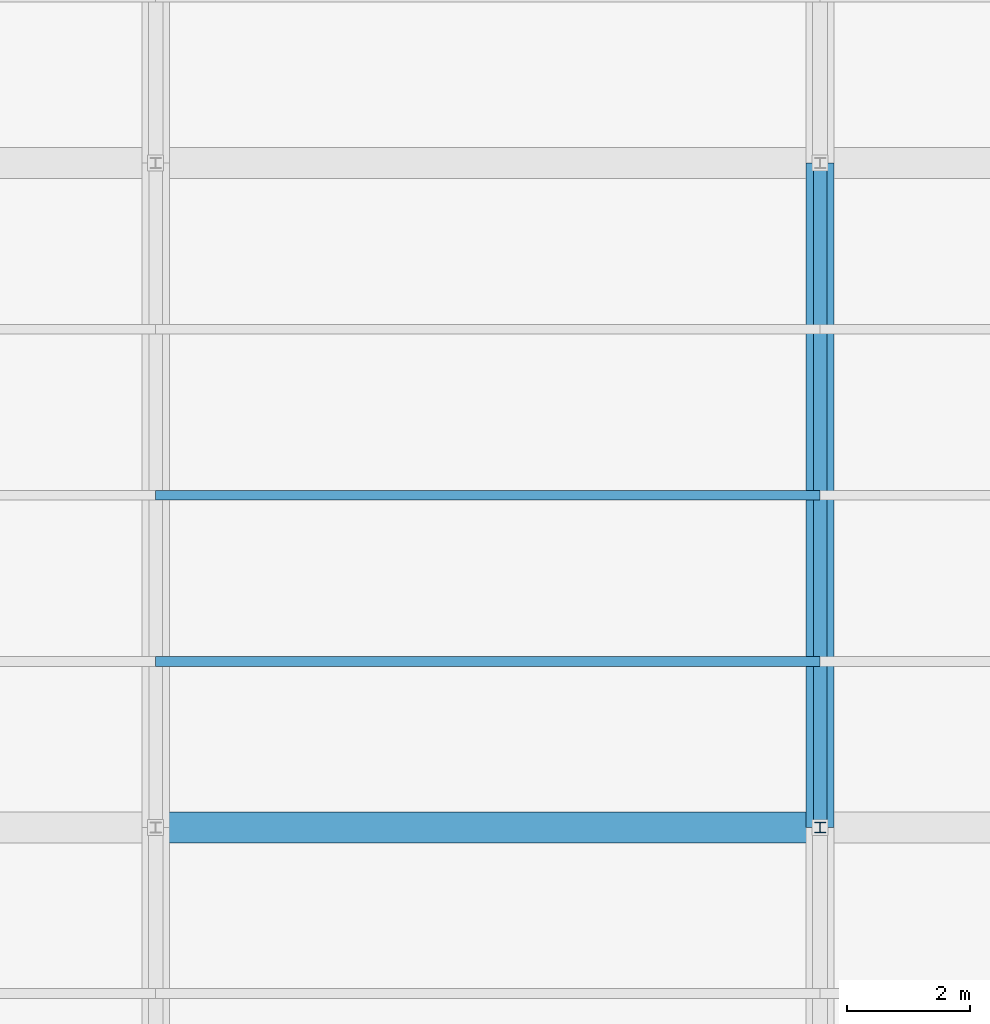
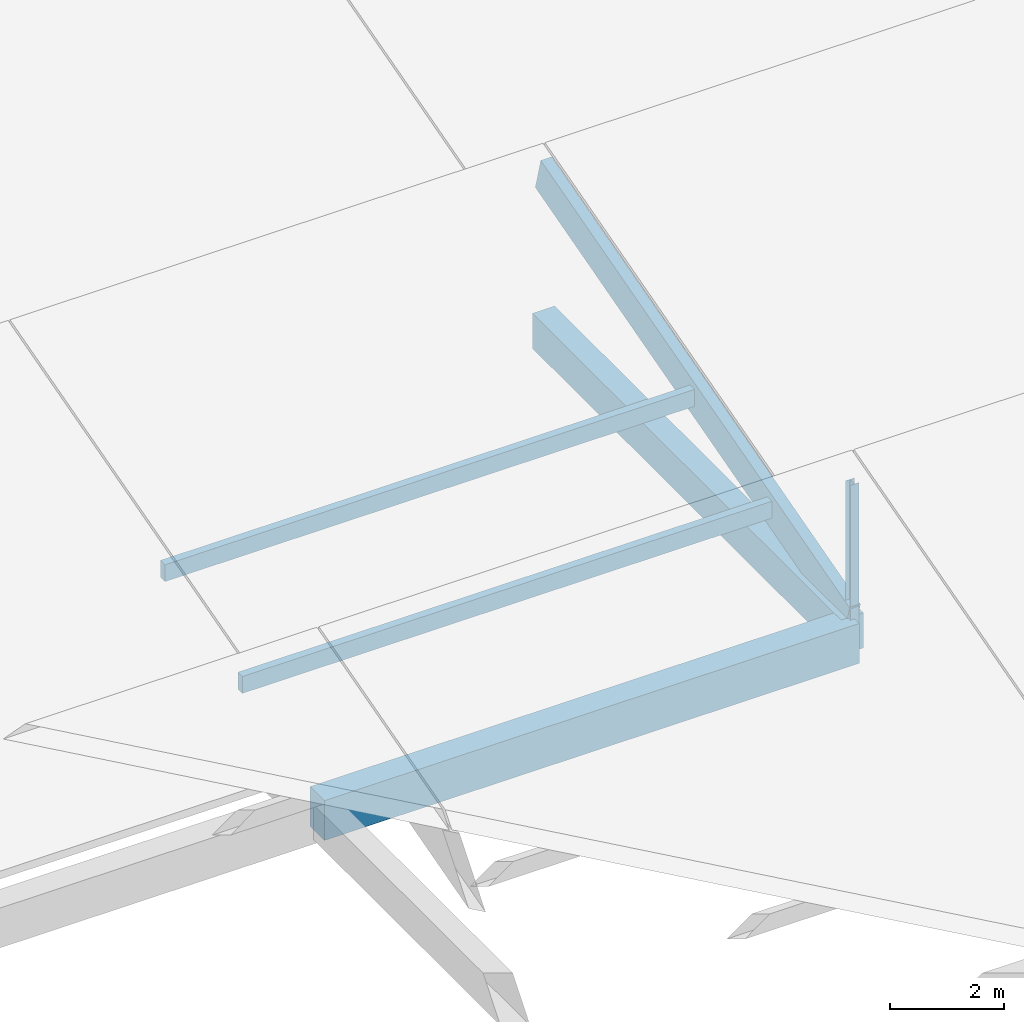
# One storey, part 19 of 112: 4 members, 2 beams.
"""IFC4 building model written with IfcOpenShell, lengths in metres."""

from ifc_helpers import new_model, si_unit, direction, frame, origin, origin_2d, place, context, subcontext, project, spatial, rectangle, i_section, extrude, material, material_profile, profile_set, type_object, element, save


model = new_model("IFC4")

# Units and contexts
model_context = context("Model", 3, precision=1e-05, world=origin(), true_north=direction((0.0, 1.0)))
body_context = subcontext(model_context, "Body", "Model", "MODEL_VIEW")
ifc_project = project(units=[si_unit("LENGTHUNIT", "METRE"), si_unit("AREAUNIT", "SQUARE_METRE"), si_unit("VOLUMEUNIT", "CUBIC_METRE"), si_unit("PLANEANGLEUNIT", "RADIAN"), si_unit("MASSUNIT", "GRAM", prefix="KILO")], contexts=[model_context])

# Site, building, storey
site_placement = place(None, origin())
site = spatial("IfcSite", under=ifc_project, at=site_placement, CompositionType="ELEMENT")
building_placement = place(site_placement, origin())
building = spatial("IfcBuilding", under=site, at=building_placement, Name="Zwinboog Wholesale Market", CompositionType="ELEMENT")
storey_placement = place(building_placement, frame((0.0, 0.0, 19.080078125)))
storey = spatial("IfcBuildingStorey", under=building, at=storey_placement, Name="Roof", CompositionType="ELEMENT", Elevation=19.080078125)

# Beams
ifc_material_1 = material(Name="Precast concrete C45/55", Category="concrete")
ifc_material_profile_1 = material_profile(ifc_material_1, rectangle(XDim=0.5, YDim=0.85009765625, at=origin_2d()), Name="PC 500x850")
ifc_profile_set_1 = profile_set([ifc_material_profile_1], Name="Precast concrete C45/55")
beam_type_1 = type_object("IfcBeamType", Name="BT-03", PredefinedType="BEAM", material=ifc_profile_set_1)
beam_1_placement = place(storey_placement, frame((10.800048828125, 64.800048828125, -9.425048828125), z_axis=(1.0, 0.0, 0.0), x_axis=(0.0, 1.0, 0.0)))
element("IfcBeam", 1, at=beam_1_placement, inside=storey, type_object=beam_type_1, Name="BG-03 (BMG-Roof-0108-0648-1172)", PredefinedType="BEAM", context=body_context, shape_type="SweptSolid", body=[
    extrude(rectangle(XDim=0.5, YDim=0.85009765625, at=origin_2d()), origin(), (0.0, 0.0, 1.0), 10.800048828125),
])
ifc_material_profile_2 = material_profile(ifc_material_1, rectangle(XDim=0.449951171875, YDim=0.75, at=origin_2d()), Name="PC 450x750")
ifc_profile_set_2 = profile_set([ifc_material_profile_2], Name="Precast concrete C45/55")
beam_type_2 = type_object("IfcBeamType", Name="BT-04", PredefinedType="BEAM", material=ifc_profile_set_2)
beam_2_placement = place(storey_placement, frame((21.60009765625, 64.800048828125, -9.375), z_axis=(0.0, 1.0, 0.0), x_axis=(-1.0, 0.0, 0.0)))
element("IfcBeam", 2, at=beam_2_placement, inside=storey, type_object=beam_type_2, Name="BG-04 (BMG-Roof-0216-0648-1227)", PredefinedType="BEAM", context=body_context, shape_type="SweptSolid", body=[
    extrude(rectangle(XDim=0.449951171875, YDim=0.75, at=origin_2d()), origin(), (0.0, 0.0, 1.0), 10.800048828125),
])

# Members
ifc_material_2 = material(Name="Steel S355", Category="steel")
ifc_material_profile_3 = material_profile(ifc_material_2, i_section(OverallWidth=0.179931640625, OverallDepth=0.1708984375, WebThickness=0.006103515625, FlangeThickness=0.009521484375, FilletRadius=0.014892578125, at=origin_2d()), Name="HEA 180")
ifc_profile_set_3 = profile_set([ifc_material_profile_3], Name="Steel S355")
member_type_1 = type_object("IfcMemberType", Name="MT-07", PredefinedType="BRACE", material=ifc_profile_set_3)
member_1_placement = place(storey_placement, frame((21.60009765625, 64.800048828125, -9.2001953125), z_axis=(0.0, 0.0, 1.0), x_axis=(1.0, 0.0, 0.0)))
element("IfcMember", 3, at=member_1_placement, inside=storey, type_object=member_type_1, Name="DB-04 (MEM-Roof-0764)", PredefinedType="BRACE", context=body_context, shape_type="SweptSolid", body=[
    extrude(i_section(OverallWidth=0.179931640625, OverallDepth=0.1708984375, WebThickness=0.006103515625, FlangeThickness=0.009521484375, FilletRadius=0.014892578125, at=origin_2d()), origin(), (0.0, 0.0, 1.0), 3.074462890625),
])
ifc_material_3 = material(Name="Glulam GL28h", Category="wood")
ifc_material_profile_4 = material_profile(ifc_material_3, rectangle(XDim=0.219970703125, YDim=0.719970703125, at=origin_2d()), Name="GL28h 220x720")
ifc_profile_set_4 = profile_set([ifc_material_profile_4], Name="Glulam GL28h")
member_type_2 = type_object("IfcMemberType", Name="MT-10", PredefinedType="RAFTER", material=ifc_profile_set_4)
member_2_placement = place(storey_placement, frame((21.60009765625, 64.800048828125, -9.065673828125), z_axis=(0.0, 0.963518221675, 0.26764274042), x_axis=(-1.0, 0.0, 0.0)))
element("IfcMember", 4, at=member_2_placement, inside=storey, type_object=member_type_2, Name="GR-02 (MEM-Roof-0783)", PredefinedType="RAFTER", context=body_context, shape_type="SweptSolid", body=[
    extrude(rectangle(XDim=0.219970703125, YDim=0.719970703125, at=origin_2d()), origin(), (0.0, 0.0, 1.0), 11.208984375),
])
ifc_material_profile_5 = material_profile(ifc_material_3, rectangle(XDim=0.159912109375, YDim=0.360107421875, at=origin_2d()), Name="GL28h 160x360")
ifc_profile_set_5 = profile_set([ifc_material_profile_5], Name="Glulam GL28h")
member_type_3 = type_object("IfcMemberType", Name="MT-12", PredefinedType="PURLIN", material=ifc_profile_set_5)
for number, where, z_axis, x_axis, name in (
    (5, (10.800048828125, 67.5, -8.273193359375), (1.0, 0.0, 0.0), (0.0, 1.0, 0.0), "GP-01 (MEM-Roof-0780)"),
    (6, (10.800048828125, 70.199951171875, -7.523193359375), (1.0, 0.0, 0.0), (0.0, 1.0, 0.0), "GP-01 (MEM-PRL-Roof-0026)"),
):
    element("IfcMember", number, at=place(storey_placement, frame(where, z_axis=z_axis, x_axis=x_axis)), inside=storey, type_object=member_type_3, Name=name, PredefinedType="PURLIN", context=body_context, shape_type="SweptSolid", body=[
        extrude(rectangle(XDim=0.159912109375, YDim=0.360107421875, at=origin_2d()), origin(), (0.0, 0.0, 1.0), 10.800048828125),
    ])

save(model, "model.ifc")
